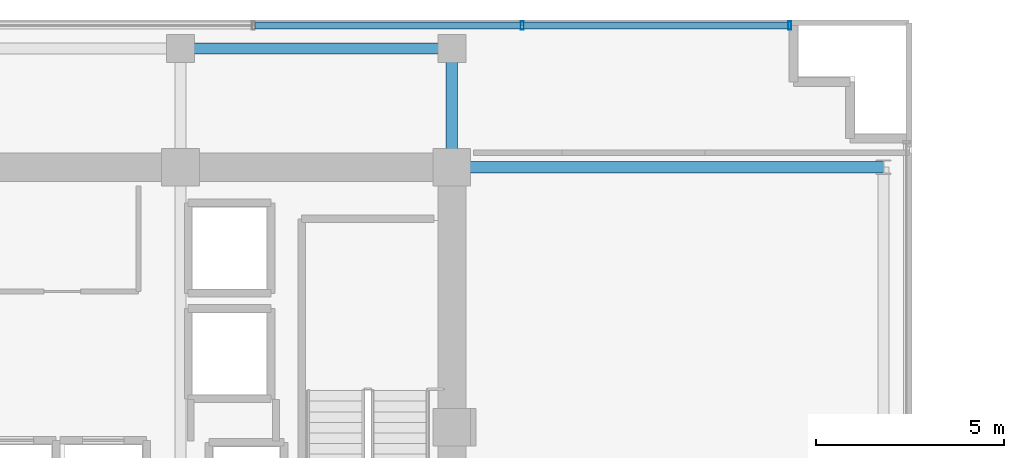
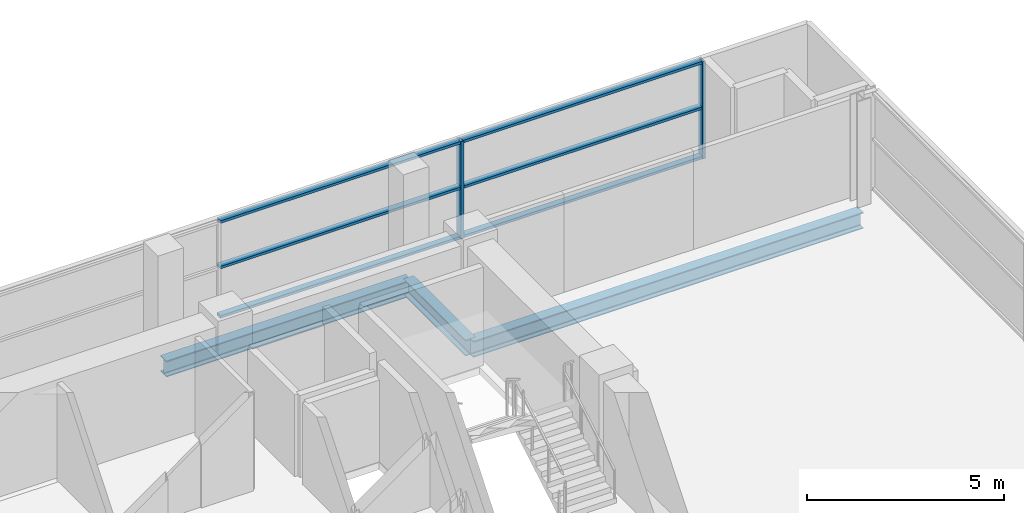
# One storey, part 12 of 22: 8 members, 3 beams, 1 element without a shape of its own.
"""IFC4 building model written with IfcOpenShell, lengths in metres."""

from ifc_helpers import new_model, si_unit, direction, frame, origin, origin_2d, place, context, subcontext, project, spatial, hollow_rectangle, i_section, extrude, source, transform, mapped, material, layer, layer_set, material_profile, profile_set, type_object, element, aggregate, save


model = new_model("IFC4")

# Units and contexts
model_context = context("Model", 3, precision=1e-05, world=origin(), true_north=direction((0.0, 1.0)))
body_context = subcontext(model_context, "Body", "Model", "MODEL_VIEW")
ifc_project = project(units=[si_unit("LENGTHUNIT", "METRE"), si_unit("AREAUNIT", "SQUARE_METRE"), si_unit("VOLUMEUNIT", "CUBIC_METRE"), si_unit("PLANEANGLEUNIT", "RADIAN"), si_unit("MASSUNIT", "GRAM", prefix="KILO")], contexts=[model_context])

# Site, building, storey
site_placement = place(None, origin())
site = spatial("IfcSite", under=ifc_project, at=site_placement, CompositionType="ELEMENT")
building_placement = place(site_placement, origin())
building = spatial("IfcBuilding", under=site, at=building_placement, Name="Zarnakvel Exchange Tower", CompositionType="ELEMENT")
storey_placement = place(building_placement, frame((0.0, 0.0, 195.699951171875)))
storey = spatial("IfcBuildingStorey", under=building, at=storey_placement, Name="L55", CompositionType="ELEMENT", Elevation=195.699951171875)

# Beams
ifc_material_1 = material(Name="Steel S355", Category="steel")
ifc_material_profile_1 = material_profile(ifc_material_1, i_section(OverallWidth=0.300048828125, OverallDepth=0.5, WebThickness=0.014404296875, FlangeThickness=0.028076171875, FilletRadius=0.027099609375, at=origin_2d()))
ifc_profile_set_1 = profile_set([ifc_material_profile_1], Name="Steel S355")
beam_type_1 = type_object("IfcBeamType", Name="G-06", PredefinedType="BEAM", material=ifc_profile_set_1)
beam_1_placement = place(storey_placement, frame((14.39990234375, 13.5, -0.474853515625), z_axis=(1.0, 0.0, 0.0), x_axis=(0.0, 1.0, 0.0)))
element("IfcBeam", 1, at=beam_1_placement, inside=storey, type_object=beam_type_1, Name="L55 Tower E-W Frame Beam", PredefinedType="BEAM", context=body_context, shape_type="SweptSolid", body=[
    extrude(i_section(OverallWidth=0.300048828125, OverallDepth=0.5, WebThickness=0.014404296875, FlangeThickness=0.028076171875, FilletRadius=0.027099609375, at=origin_2d()), origin(), (0.0, 0.0, 1.0), 11.4501953125),
])
beam_2_placement = place(storey_placement, frame((14.39990234375, 13.5, -0.474853515625), z_axis=(0.0, 1.0, 0.0), x_axis=(-1.0, 0.0, 0.0)))
element("IfcBeam", 2, at=beam_2_placement, inside=storey, type_object=beam_type_1, Name="L55 Tower N-S Frame Beam", PredefinedType="BEAM", context=body_context, shape_type="SweptSolid", body=[
    extrude(i_section(OverallWidth=0.300048828125, OverallDepth=0.5, WebThickness=0.014404296875, FlangeThickness=0.028076171875, FilletRadius=0.027099609375, at=origin_2d()), origin(), (0.0, 0.0, 1.0), 3.14990234375),
])
ifc_material_profile_2 = material_profile(ifc_material_1, i_section(OverallWidth=0.300048828125, OverallDepth=0.5, WebThickness=0.014404296875, FlangeThickness=0.028076171875, FilletRadius=0.027099609375, at=origin_2d()))
ifc_profile_set_2 = profile_set([ifc_material_profile_2], Name="Steel S355")
beam_type_2 = type_object("IfcBeamType", Name="SP-02", PredefinedType="SPANDREL", material=ifc_profile_set_2)
beam_3_placement = place(storey_placement, frame((7.199951171875, 16.64990234375, -0.474853515625), z_axis=(1.0, 0.0, 0.0), x_axis=(0.0, 1.0, 0.0)))
element("IfcBeam", 3, at=beam_3_placement, inside=storey, type_object=beam_type_2, Name="L55 Tower E-W Frame Beam", PredefinedType="SPANDREL", context=body_context, shape_type="SweptSolid", body=[
    extrude(i_section(OverallWidth=0.300048828125, OverallDepth=0.5, WebThickness=0.014404296875, FlangeThickness=0.028076171875, FilletRadius=0.027099609375, at=origin_2d()), origin(), (0.0, 0.0, 1.0), 7.199951171875),
])

# Curtain wall, members
ifc_material_2 = material(Name="Architectural Bronze Anodised Aluminium", Category="aluminium")
ifc_layer = layer(ifc_material_2, 0.219970703125)
ifc_layer_set = layer_set([ifc_layer], Name="Architectural Bronze Anodised Aluminium")
curtain_wall_type = type_object("IfcCurtainWallType", Name="CW-03", PredefinedType="NOTDEFINED", material=ifc_layer_set)
curtain_wall_placement = place(storey_placement, origin())
curtain_wall = element("IfcCurtainWall", 4, at=curtain_wall_placement, inside=storey, type_object=curtain_wall_type, Name="L55 Curtain Wall CW-L55-N1 (CW-03)", PredefinedType="NOTDEFINED")
ifc_material_profile_3 = material_profile(ifc_material_2, hollow_rectangle(XDim=0.179931640625, YDim=0.080078125, WallThickness=0.00390625, at=origin_2d()))
ifc_profile_set_3 = profile_set([ifc_material_profile_3], Name="Architectural Bronze Anodised Aluminium")
member_type_1 = type_object("IfcMemberType", Name="CWT-03", PredefinedType="USERDEFINED", material=ifc_profile_set_3)
shared_shape_1 = source(origin(), body_context, "Body", "SweptSolid", [
    extrude(hollow_rectangle(XDim=0.179931640625, YDim=0.080078125, WallThickness=0.00390625, at=origin_2d()), origin(), (0.0, 0.0, 1.0), 7.013427734375),
])
member_1_placement = place(storey_placement, frame((16.306640625, 17.260009765625, 0.0400390625), z_axis=(1.0, 0.0, 0.0), x_axis=(0.0, 1.0, 0.0)))
member_1 = element("IfcMember", 5, at=member_1_placement, type_object=member_type_1, Name="CW-03 transom 6.1", ObjectType="TRANSOM", PredefinedType="USERDEFINED", context=body_context, shape_type="MappedRepresentation", body=[
    mapped(shared_shape_1, transform((0.0, 0.0, 0.0), x_axis=(1.0, 0.0, 0.0), y_axis=(0.0, 1.0, 0.0), z_axis=(0.0, 0.0, 1.0), scale=1.0)),
])
member_2_placement = place(storey_placement, frame((16.306640625, 17.260009765625, 1.57568359375), z_axis=(1.0, 0.0, 0.0), x_axis=(0.0, 1.0, 0.0)))
member_2 = element("IfcMember", 6, at=member_2_placement, type_object=member_type_1, Name="CW-03 transom 6.2", ObjectType="TRANSOM", PredefinedType="USERDEFINED", context=body_context, shape_type="MappedRepresentation", body=[
    mapped(shared_shape_1, transform((0.0, 0.0, 0.0), x_axis=(1.0, 0.0, 0.0), y_axis=(0.0, 1.0, 0.0), z_axis=(0.0, 0.0, 1.0), scale=1.0)),
])
member_3_placement = place(storey_placement, frame((16.306640625, 17.260009765625, 2.989990234375), z_axis=(1.0, 0.0, 0.0), x_axis=(0.0, 1.0, 0.0)))
member_3 = element("IfcMember", 7, at=member_3_placement, type_object=member_type_1, Name="CW-03 transom 6.3", ObjectType="TRANSOM", PredefinedType="USERDEFINED", context=body_context, shape_type="MappedRepresentation", body=[
    mapped(shared_shape_1, transform((0.0, 0.0, 0.0), x_axis=(1.0, 0.0, 0.0), y_axis=(0.0, 1.0, 0.0), z_axis=(0.0, 0.0, 1.0), scale=1.0)),
])
shared_shape_2 = source(origin(), body_context, "Body", "SweptSolid", [
    extrude(hollow_rectangle(XDim=0.179931640625, YDim=0.080078125, WallThickness=0.00390625, at=origin_2d()), origin(), (0.0, 0.0, 1.0), 7.05322265625),
])
member_4_placement = place(storey_placement, frame((9.17333984375, 17.260009765625, 0.0400390625), z_axis=(1.0, 0.0, 0.0), x_axis=(0.0, 1.0, 0.0)))
member_4 = element("IfcMember", 8, at=member_4_placement, type_object=member_type_1, Name="CW-03 transom 5.1", ObjectType="TRANSOM", PredefinedType="USERDEFINED", context=body_context, shape_type="MappedRepresentation", body=[
    mapped(shared_shape_2, transform((0.0, 0.0, 0.0), x_axis=(1.0, 0.0, 0.0), y_axis=(0.0, 1.0, 0.0), z_axis=(0.0, 0.0, 1.0), scale=1.0)),
])
member_5_placement = place(storey_placement, frame((9.17333984375, 17.260009765625, 1.57568359375), z_axis=(1.0, 0.0, 0.0), x_axis=(0.0, 1.0, 0.0)))
member_5 = element("IfcMember", 9, at=member_5_placement, type_object=member_type_1, Name="CW-03 transom 5.2", ObjectType="TRANSOM", PredefinedType="USERDEFINED", context=body_context, shape_type="MappedRepresentation", body=[
    mapped(shared_shape_2, transform((0.0, 0.0, 0.0), x_axis=(1.0, 0.0, 0.0), y_axis=(0.0, 1.0, 0.0), z_axis=(0.0, 0.0, 1.0), scale=1.0)),
])
member_6_placement = place(storey_placement, frame((9.17333984375, 17.260009765625, 2.989990234375), z_axis=(1.0, 0.0, 0.0), x_axis=(0.0, 1.0, 0.0)))
member_6 = element("IfcMember", 10, at=member_6_placement, type_object=member_type_1, Name="CW-03 transom 5.3", ObjectType="TRANSOM", PredefinedType="USERDEFINED", context=body_context, shape_type="MappedRepresentation", body=[
    mapped(shared_shape_2, transform((0.0, 0.0, 0.0), x_axis=(1.0, 0.0, 0.0), y_axis=(0.0, 1.0, 0.0), z_axis=(0.0, 0.0, 1.0), scale=1.0)),
])
ifc_material_profile_4 = material_profile(ifc_material_2, hollow_rectangle(XDim=0.219970703125, YDim=0.080078125, WallThickness=0.0048828125, at=origin_2d()))
ifc_profile_set_4 = profile_set([ifc_material_profile_4], Name="Architectural Bronze Anodised Aluminium")
member_type_2 = type_object("IfcMemberType", Name="CWM-03", PredefinedType="MULLION", material=ifc_profile_set_4)
shared_shape_3 = source(origin(), body_context, "Body", "SweptSolid", [
    extrude(hollow_rectangle(XDim=0.219970703125, YDim=0.080078125, WallThickness=0.0048828125, at=origin_2d()), origin(), (0.0, 0.0, 1.0), 3.030029296875),
])
member_7_placement = place(storey_placement, frame((16.2666015625, 17.260009765625, 0.0), z_axis=(0.0, 0.0, 1.0), x_axis=(0.0, 1.0, 0.0)))
member_7 = element("IfcMember", 11, at=member_7_placement, type_object=member_type_2, Name="CW-03 mullion 6", PredefinedType="MULLION", context=body_context, shape_type="MappedRepresentation", body=[
    mapped(shared_shape_3, transform((0.0, 0.0, 0.0), x_axis=(1.0, 0.0, 0.0), y_axis=(0.0, 1.0, 0.0), z_axis=(0.0, 0.0, 1.0), scale=1.0)),
])
member_8_placement = place(storey_placement, frame((23.360107421875, 17.260009765625, 0.0), z_axis=(0.0, 0.0, 1.0), x_axis=(0.0, 1.0, 0.0)))
member_8 = element("IfcMember", 12, at=member_8_placement, type_object=member_type_2, Name="CW-03 mullion 7", PredefinedType="MULLION", context=body_context, shape_type="MappedRepresentation", body=[
    mapped(shared_shape_3, transform((0.0, 0.0, 0.0), x_axis=(1.0, 0.0, 0.0), y_axis=(0.0, 1.0, 0.0), z_axis=(0.0, 0.0, 1.0), scale=1.0)),
])
aggregate(curtain_wall, [member_7, member_8, member_4, member_5, member_6, member_1, member_2, member_3])

save(model, "model.ifc")
